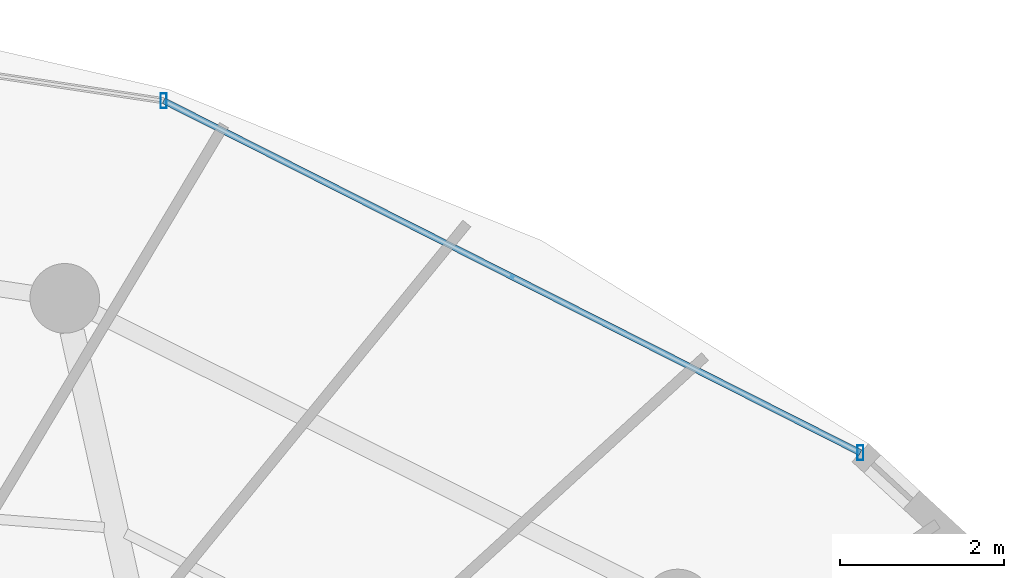
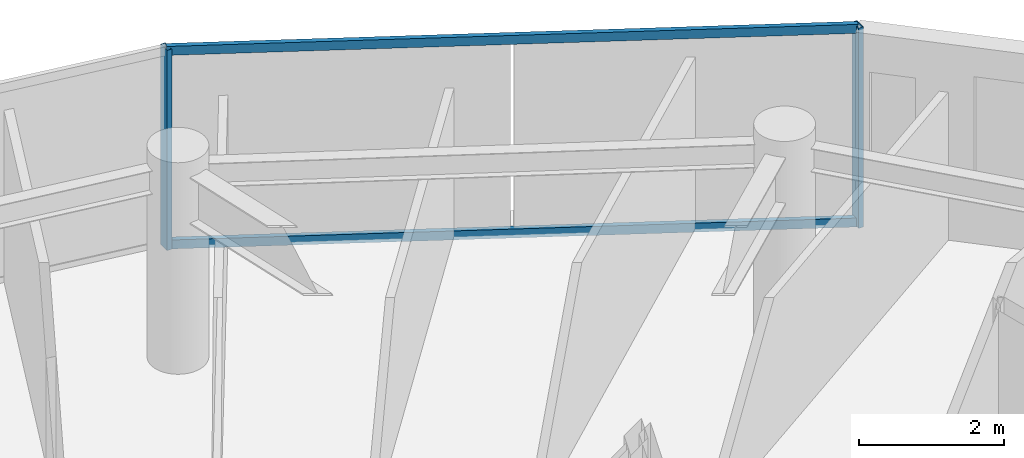
# One storey, part 19 of 30: 4 members, 1 element without a shape of its own.
"""IFC4 building model written with IfcOpenShell, lengths in metres."""

from ifc_helpers import new_model, si_unit, direction, frame, origin, origin_2d, place, context, subcontext, project, spatial, hollow_rectangle, extrude, material, material_profile, profile_set, type_object, element, aggregate, save


model = new_model("IFC4")

# Units and contexts
model_context = context("Model", 3, precision=1e-05, world=origin(), true_north=direction((0.0, 1.0)))
body_context = subcontext(model_context, "Body", "Model", "MODEL_VIEW")
ifc_project = project(units=[si_unit("LENGTHUNIT", "METRE"), si_unit("AREAUNIT", "SQUARE_METRE"), si_unit("VOLUMEUNIT", "CUBIC_METRE"), si_unit("PLANEANGLEUNIT", "RADIAN"), si_unit("MASSUNIT", "GRAM", prefix="KILO")], contexts=[model_context])

# Site, building, storey
site_placement = place(None, origin())
site = spatial("IfcSite", under=ifc_project, at=site_placement, CompositionType="ELEMENT")
building_placement = place(site_placement, origin())
building = spatial("IfcBuilding", under=site, at=building_placement, Name="Vorneva Point Tower", CompositionType="ELEMENT")
storey_placement = place(building_placement, frame((0.0, 0.0, 262.64990234375)))
storey = spatial("IfcBuildingStorey", under=building, at=storey_placement, Name="L71", CompositionType="ELEMENT", Elevation=262.64990234375)

# Curtain wall, members
ifc_material = material(Name="Pale anodised aluminium", Category="aluminium")
curtain_wall_type = type_object("IfcCurtainWallType", Name="CW-RES-SYS", PredefinedType="NOTDEFINED", material=ifc_material)
curtain_wall_placement = place(storey_placement, origin())
curtain_wall = element("IfcCurtainWall", 1, at=curtain_wall_placement, inside=storey, type_object=curtain_wall_type, Name="L71 Unitised Curtain Wall CW-L71-R02", PredefinedType="NOTDEFINED")
ifc_material_profile_1 = material_profile(ifc_material, hollow_rectangle(XDim=0.074951171875, YDim=0.179931640625, WallThickness=0.00390625, at=origin_2d()), Name="AL-MUL 180x75x4")
ifc_profile_set_1 = profile_set([ifc_material_profile_1], Name="Pale anodised aluminium")
member_type_1 = type_object("IfcMemberType", Name="CW-MUL-180", PredefinedType="MULLION", material=ifc_profile_set_1)
member_1_placement = place(storey_placement, frame((56.526123046875, 40.0078125, -0.039794921875), z_axis=(0.0, 0.0, 1.0), x_axis=(1.0, 0.0, 0.0)))
member_1 = element("IfcMember", 2, at=member_1_placement, type_object=member_type_1, Name="CW-L71-R02 Mullion 01", PredefinedType="MULLION", context=body_context, shape_type="SweptSolid", body=[
    extrude(hollow_rectangle(XDim=0.074951171875, YDim=0.179931640625, WallThickness=0.00390625, at=origin_2d()), origin(), (0.0, 0.0, 1.0), 3.35986328125),
])
member_2_placement = place(storey_placement, frame((48.0263671875, 44.302001953125, -0.039794921875), z_axis=(0.0, 0.0, 1.0), x_axis=(1.0, 0.0, 0.0)))
member_2 = element("IfcMember", 3, at=member_2_placement, type_object=member_type_1, Name="CW-L71-R02 Mullion 02", PredefinedType="MULLION", context=body_context, shape_type="SweptSolid", body=[
    extrude(hollow_rectangle(XDim=0.074951171875, YDim=0.179931640625, WallThickness=0.00390625, at=origin_2d()), origin(), (0.0, 0.0, 1.0), 3.35986328125),
])
ifc_material_profile_2 = material_profile(ifc_material, hollow_rectangle(XDim=0.074951171875, YDim=0.14990234375, WallThickness=0.00390625, at=origin_2d()), Name="AL-TRN 150x75x4")
ifc_profile_set_2 = profile_set([ifc_material_profile_2], Name="Pale anodised aluminium")
member_type_2 = type_object("IfcMemberType", Name="CW-TRN-150", PredefinedType="USERDEFINED", material=ifc_profile_set_2)
member_3_placement = place(storey_placement, frame((56.526123046875, 40.0078125, 0.02001953125), z_axis=(-0.892558185815, 0.450932239848, 0.0), x_axis=(-0.450932239848, -0.892558185815, 0.0)))
member_3 = element("IfcMember", 4, at=member_3_placement, type_object=member_type_2, Name="CW-L71-R02 Transom 01.1", ObjectType="TRANSOM", PredefinedType="USERDEFINED", context=body_context, shape_type="SweptSolid", body=[
    extrude(hollow_rectangle(XDim=0.074951171875, YDim=0.14990234375, WallThickness=0.00390625, at=origin_2d()), origin(), (0.0, 0.0, 1.0), 9.52294921875),
])
member_4_placement = place(storey_placement, frame((56.526123046875, 40.0078125, 3.27001953125), z_axis=(-0.892558185815, 0.450932239848, 0.0), x_axis=(-0.450932239848, -0.892558185815, 0.0)))
member_4 = element("IfcMember", 5, at=member_4_placement, type_object=member_type_2, Name="CW-L71-R02 Transom 01.2", ObjectType="TRANSOM", PredefinedType="USERDEFINED", context=body_context, shape_type="SweptSolid", body=[
    extrude(hollow_rectangle(XDim=0.074951171875, YDim=0.14990234375, WallThickness=0.00390625, at=origin_2d()), origin(), (0.0, 0.0, 1.0), 9.52294921875),
])
aggregate(curtain_wall, [member_1, member_2, member_3, member_4])

save(model, "model.ifc")
